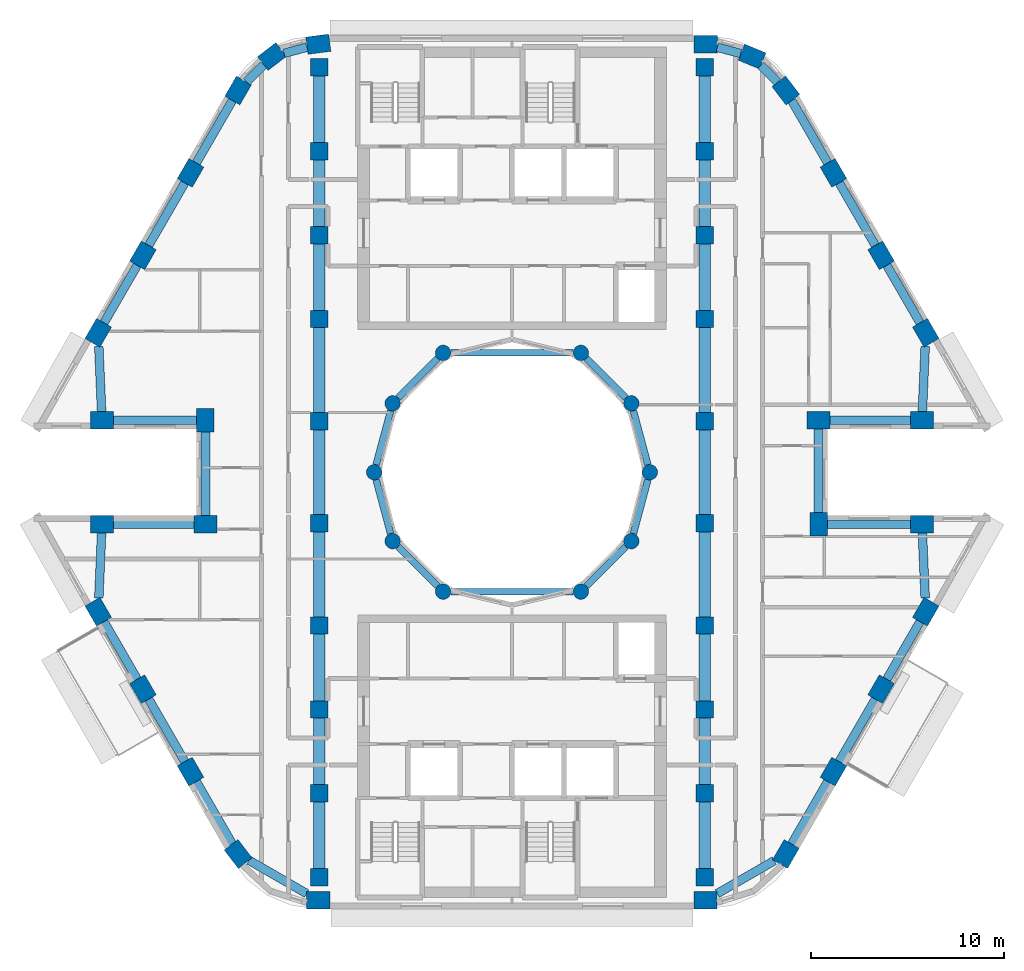
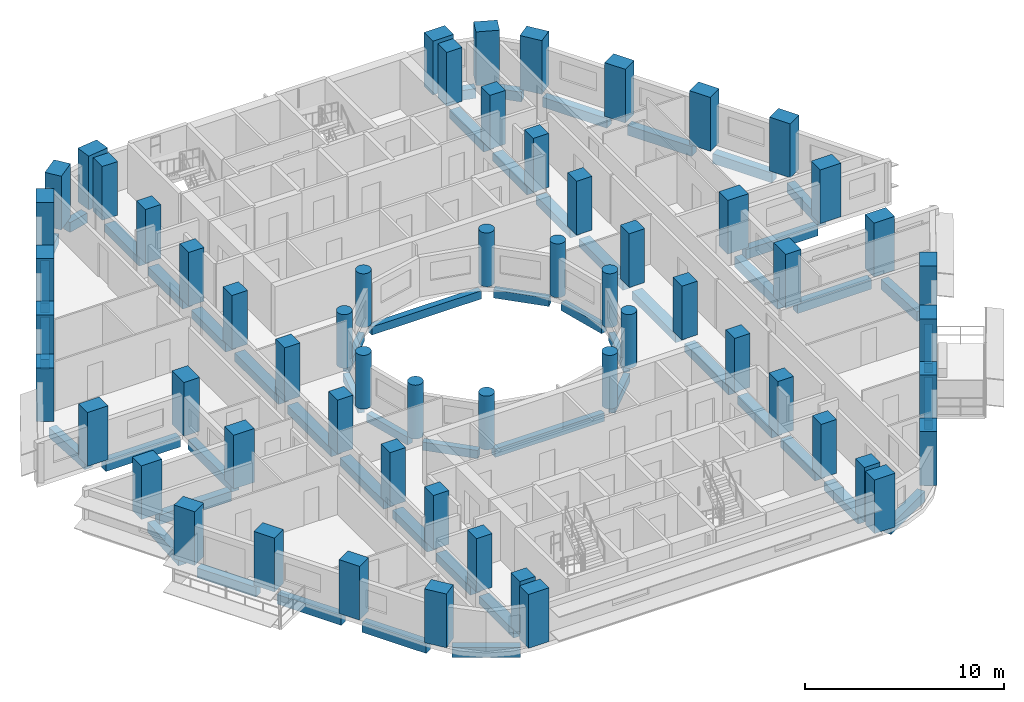
# One storey, part 1 of 16: 60 columns, 56 beams.
"""IFC4 building model written with IfcOpenShell, lengths in metres."""

from ifc_helpers import new_model, si_unit, direction, frame, origin, origin_2d, place, context, subcontext, project, spatial, rectangle, circle, extrude, material, material_profile, profile_set, type_object, element, save


model = new_model("IFC4")

# Units and contexts
model_context = context("Model", 3, precision=1e-05, world=origin(), true_north=direction((0.0, 1.0)))
body_context = subcontext(model_context, "Body", "Model", "MODEL_VIEW")
ifc_project = project(units=[si_unit("LENGTHUNIT", "METRE"), si_unit("AREAUNIT", "SQUARE_METRE"), si_unit("VOLUMEUNIT", "CUBIC_METRE"), si_unit("PLANEANGLEUNIT", "RADIAN"), si_unit("MASSUNIT", "GRAM", prefix="KILO")], contexts=[model_context])

# Site, building, storey
site_placement = place(None, origin())
site = spatial("IfcSite", under=ifc_project, at=site_placement, CompositionType="ELEMENT")
building_placement = place(site_placement, origin())
building = spatial("IfcBuilding", under=site, at=building_placement, Name="Nakaniwa Court", CompositionType="ELEMENT")
storey_placement = place(building_placement, frame((0.0, 0.0, 196.5)))
storey = spatial("IfcBuildingStorey", under=building, at=storey_placement, Name="L51", CompositionType="ELEMENT", Elevation=196.5)

# Columns
ifc_material = material(Name="Concrete C80/100", Category="concrete")
ifc_material_profile_1 = material_profile(ifc_material, rectangle(XDim=1.199951171875, YDim=0.89990234375, at=origin_2d()), Name="Concrete C80/100 RC 1200x900 perimeter column")
ifc_profile_set_1 = profile_set([ifc_material_profile_1], Name="Concrete C80/100")
column_type_1 = type_object("IfcColumnType", Name="Concrete C80/100 RC 1200x900 perimeter column", PredefinedType="COLUMN", material=ifc_profile_set_1)
for number, where, z_axis, x_axis, name in (
    (1, (69.95458984375, 102.199951171875, 0.0), (0.0, 0.0, 1.0), (-0.991442583111, -0.130543496177, 0.0), "COLUMN CO-01"),
    (2, (67.552001953125, 101.560302734375, 0.0), (0.0, 0.0, 1.0), (-0.793363965062, -0.608747582288, 0.0), "COLUMN CO-02"),
    (3, (65.796875, 99.799560546875, 0.0), (0.0, 0.0, 1.0), (-0.5, -0.866025403784, 0.0), "COLUMN CO-03"),
    (4, (63.328857421875, 95.524658203125, 0.0), (0.0, 0.0, 1.0), (-0.5, -0.866025403784, 0.0), "COLUMN CO-04"),
    (5, (60.860595703125, 91.249755859375, 0.0), (0.0, 0.0, 1.0), (-0.5, -0.866025403784, 0.0), "COLUMN CO-05"),
    (6, (58.541015625, 87.232177734375, 0.0), (0.0, 0.0, 1.0), (-0.5, -0.866025403784, 0.0), "COLUMN CO-06"),
    (7, (58.736083984375, 82.699951171875, 0.0), (0.0, 0.0, 1.0), (1.0, 0.0, 0.0), "COLUMN CO-08"),
    (8, (64.1005859375, 82.699951171875, 0.0), (0.0, 0.0, 1.0), (0.0, -1.0, 0.0), "COLUMN CO-09"),
    (9, (64.1005859375, 77.300048828125, 0.0), (0.0, 0.0, 1.0), (-1.0, 0.0, 0.0), "COLUMN CO-10"),
    (10, (58.736083984375, 77.300048828125, 0.0), (0.0, 0.0, 1.0), (-1.0, 0.0, 0.0), "COLUMN CO-11"),
    (11, (58.541015625, 72.767822265625, 0.0), (0.0, 0.0, 1.0), (0.5, -0.866025403784, 0.0), "COLUMN CO-13"),
    (12, (60.860595703125, 68.750244140625, 0.0), (0.0, 0.0, 1.0), (0.5, -0.866025403784, 0.0), "COLUMN CO-14"),
    (13, (63.328857421875, 64.475341796875, 0.0), (0.0, 0.0, 1.0), (0.5, -0.866025403784, 0.0), "COLUMN CO-15"),
    (14, (65.796875, 60.200439453125, 0.0), (0.0, 0.0, 1.0), (0.608761429009, -0.793353340291, 0.0), "COLUMN CO-16"),
    (15, (69.95458984375, 57.800048828125, 0.0), (0.0, 0.0, 1.0), (1.0, 0.0, 0.0), "COLUMN CO-17"),
    (16, (90.03955078125, 57.800048828125, 0.0), (0.0, 0.0, 1.0), (1.0, 0.0, 0.0), "COLUMN CO-21"),
    (17, (94.203125, 60.200439453125, 0.0), (0.0, 0.0, 1.0), (0.5, 0.866025403784, 0.0), "COLUMN CO-22"),
    (18, (96.671142578125, 64.475341796875, 0.0), (0.0, 0.0, 1.0), (0.5, 0.866025403784, 0.0), "COLUMN CO-23"),
    (19, (99.139404296875, 68.750244140625, 0.0), (0.0, 0.0, 1.0), (0.5, 0.866025403784, 0.0), "COLUMN CO-24"),
    (20, (101.458984375, 72.767822265625, 0.0), (0.0, 0.0, 1.0), (0.5, 0.866025403784, 0.0), "COLUMN CO-25"),
    (21, (101.263916015625, 77.300048828125, 0.0), (0.0, 0.0, 1.0), (-1.0, 0.0, 0.0), "COLUMN CO-27"),
    (22, (95.8994140625, 77.300048828125, 0.0), (0.0, 0.0, 1.0), (0.0, 1.0, 0.0), "COLUMN CO-28"),
    (23, (95.8994140625, 82.699951171875, 0.0), (0.0, 0.0, 1.0), (1.0, 0.0, 0.0), "COLUMN CO-29"),
    (24, (101.263916015625, 82.699951171875, 0.0), (0.0, 0.0, 1.0), (1.0, 0.0, 0.0), "COLUMN CO-30"),
    (25, (101.458984375, 87.232177734375, 0.0), (0.0, 0.0, 1.0), (-0.5, 0.866025403784, 0.0), "COLUMN CO-32"),
    (26, (99.139404296875, 91.249755859375, 0.0), (0.0, 0.0, 1.0), (-0.5, 0.866025403784, 0.0), "COLUMN CO-33"),
    (27, (96.671142578125, 95.524658203125, 0.0), (0.0, 0.0, 1.0), (-0.5, 0.866025403784, 0.0), "COLUMN CO-34"),
    (28, (94.203125, 99.799560546875, 0.0), (0.0, 0.0, 1.0), (-0.608761429009, 0.793353340291, 0.0), "COLUMN CO-35"),
    (29, (92.447998046875, 101.560302734375, 0.0), (0.0, 0.0, 1.0), (-0.923879532511, 0.382683432365, 0.0), "COLUMN CO-36"),
    (30, (90.04541015625, 102.199951171875, 0.0), (0.0, 0.0, 1.0), (-1.0, 0.0, 0.0), "COLUMN CO-37"),
):
    element("IfcColumn", number, at=place(storey_placement, frame(where, z_axis=z_axis, x_axis=x_axis)), inside=storey, type_object=column_type_1, Name=name, PredefinedType="COLUMN", context=body_context, shape_type="SweptSolid", body=[
        extrude(rectangle(XDim=1.199951171875, YDim=0.89990234375, at=origin_2d()), origin(), (0.0, 0.0, 1.0), 3.300048828125),
    ])
ifc_material_profile_2 = material_profile(ifc_material, rectangle(XDim=0.89990234375, YDim=0.89990234375, at=origin_2d()), Name="Concrete C80/100 RC 900x900 spine column")
ifc_profile_set_2 = profile_set([ifc_material_profile_2], Name="Concrete C80/100")
column_type_2 = type_object("IfcColumnType", Name="Concrete C80/100 RC 900x900 spine column", PredefinedType="COLUMN", material=ifc_profile_set_2)
for number, where, z_axis, x_axis, name in (
    (31, (90.0, 59.0, 0.0), (0.0, 0.0, 1.0), (0.0, 1.0, 0.0), "COLUMN CS-01"),
    (32, (90.0, 63.35009765625, 0.0), (0.0, 0.0, 1.0), (0.0, 1.0, 0.0), "COLUMN CS-02"),
    (33, (90.0, 67.699951171875, 0.0), (0.0, 0.0, 1.0), (0.0, 1.0, 0.0), "COLUMN CS-03"),
    (34, (90.0, 72.050048828125, 0.0), (0.0, 0.0, 1.0), (0.0, 1.0, 0.0), "COLUMN CS-04"),
    (35, (90.0, 77.35009765625, 0.0), (0.0, 0.0, 1.0), (0.0, 1.0, 0.0), "COLUMN CS-05"),
    (36, (90.0, 82.64990234375, 0.0), (0.0, 0.0, 1.0), (0.0, 1.0, 0.0), "COLUMN CS-06"),
    (37, (90.0, 87.949951171875, 0.0), (0.0, 0.0, 1.0), (0.0, 1.0, 0.0), "COLUMN CS-07"),
    (38, (90.0, 92.300048828125, 0.0), (0.0, 0.0, 1.0), (0.0, 1.0, 0.0), "COLUMN CS-08"),
    (39, (90.0, 96.64990234375, 0.0), (0.0, 0.0, 1.0), (0.0, 1.0, 0.0), "COLUMN CS-09"),
    (40, (90.0, 101.0, 0.0), (0.0, 0.0, 1.0), (0.0, 1.0, 0.0), "COLUMN CS-10"),
    (41, (70.0, 101.0, 0.0), (0.0, 0.0, 1.0), (0.0, -1.0, 0.0), "COLUMN CS-11"),
    (42, (70.0, 96.64990234375, 0.0), (0.0, 0.0, 1.0), (0.0, -1.0, 0.0), "COLUMN CS-12"),
    (43, (70.0, 92.300048828125, 0.0), (0.0, 0.0, 1.0), (0.0, -1.0, 0.0), "COLUMN CS-13"),
    (44, (70.0, 87.949951171875, 0.0), (0.0, 0.0, 1.0), (0.0, -1.0, 0.0), "COLUMN CS-14"),
    (45, (70.0, 82.64990234375, 0.0), (0.0, 0.0, 1.0), (0.0, -1.0, 0.0), "COLUMN CS-15"),
    (46, (70.0, 77.35009765625, 0.0), (0.0, 0.0, 1.0), (0.0, -1.0, 0.0), "COLUMN CS-16"),
    (47, (70.0, 72.050048828125, 0.0), (0.0, 0.0, 1.0), (0.0, -1.0, 0.0), "COLUMN CS-17"),
    (48, (70.0, 67.699951171875, 0.0), (0.0, 0.0, 1.0), (0.0, -1.0, 0.0), "COLUMN CS-18"),
    (49, (70.0, 63.35009765625, 0.0), (0.0, 0.0, 1.0), (0.0, -1.0, 0.0), "COLUMN CS-19"),
    (50, (70.0, 59.0, 0.0), (0.0, 0.0, 1.0), (0.0, -1.0, 0.0), "COLUMN CS-20"),
):
    element("IfcColumn", number, at=place(storey_placement, frame(where, z_axis=z_axis, x_axis=x_axis)), inside=storey, type_object=column_type_2, Name=name, PredefinedType="COLUMN", context=body_context, shape_type="SweptSolid", body=[
        extrude(rectangle(XDim=0.89990234375, YDim=0.89990234375, at=origin_2d()), origin(), (0.0, 0.0, 1.0), 3.300048828125),
    ])
ifc_material_profile_3 = material_profile(ifc_material, circle(Radius=0.39990234375, at=origin_2d()), Name="Concrete C80/100 RC D800 inner ring column")
ifc_profile_set_3 = profile_set([ifc_material_profile_3], Name="Concrete C80/100")
column_type_3 = type_object("IfcColumnType", Name="Concrete C80/100 RC D800 inner ring column", PredefinedType="COLUMN", material=ifc_profile_set_3)
for number, where, z_axis, x_axis, name in (
    (51, (87.14990234375, 80.0, 0.0), (0.0, 0.0, 1.0), (0.0, 1.0, 0.0), "COLUMN CI-01"),
    (52, (86.192138671875, 83.574951171875, 0.0), (0.0, 0.0, 1.0), (-0.5, 0.866025403784, 0.0), "COLUMN CI-02"),
    (53, (83.574951171875, 86.192138671875, 0.0), (0.0, 0.0, 1.0), (-0.866025403784, 0.5, 0.0), "COLUMN CI-03"),
    (54, (76.425048828125, 86.192138671875, 0.0), (0.0, 0.0, 1.0), (-0.866025403784, -0.5, 0.0), "COLUMN CI-05"),
    (55, (73.807861328125, 83.574951171875, 0.0), (0.0, 0.0, 1.0), (-0.5, -0.866025403784, 0.0), "COLUMN CI-06"),
    (56, (72.85009765625, 80.0, 0.0), (0.0, 0.0, 1.0), (0.0, -1.0, 0.0), "COLUMN CI-07"),
    (57, (73.807861328125, 76.425048828125, 0.0), (0.0, 0.0, 1.0), (0.5, -0.866025403784, 0.0), "COLUMN CI-08"),
    (58, (76.425048828125, 73.807861328125, 0.0), (0.0, 0.0, 1.0), (0.866025403784, -0.5, 0.0), "COLUMN CI-09"),
    (59, (83.574951171875, 73.807861328125, 0.0), (0.0, 0.0, 1.0), (0.866025403784, 0.5, 0.0), "COLUMN CI-11"),
    (60, (86.192138671875, 76.425048828125, 0.0), (0.0, 0.0, 1.0), (0.5, 0.866025403784, 0.0), "COLUMN CI-12"),
):
    element("IfcColumn", number, at=place(storey_placement, frame(where, z_axis=z_axis, x_axis=x_axis)), inside=storey, type_object=column_type_3, Name=name, PredefinedType="COLUMN", context=body_context, shape_type="SweptSolid", body=[
        extrude(circle(Radius=0.39990234375, at=origin_2d()), origin(), (0.0, 0.0, 1.0), 3.300048828125),
    ])

# Beams
ifc_material_profile_4 = material_profile(ifc_material, rectangle(XDim=0.35009765625, YDim=0.5, at=origin_2d()), Name="Concrete C80/100 RC 350x500 ring beam")
ifc_profile_set_4 = profile_set([ifc_material_profile_4], Name="Concrete C80/100")
beam_type_1 = type_object("IfcBeamType", Name="Concrete C80/100 RC 350x500 ring beam", PredefinedType="BEAM", material=ifc_profile_set_4)
beam_1_placement = place(storey_placement, frame((87.04638671875, 80.386474609375, -0.52490234375), z_axis=(-0.258778150207, 0.965936783115, 0.0), x_axis=(-0.965936783115, -0.258778150207, 0.0)))
element("IfcBeam", 61, at=beam_1_placement, inside=storey, type_object=beam_type_1, Name="RING BEAM", PredefinedType="BEAM", context=body_context, shape_type="SweptSolid", body=[
    extrude(rectangle(XDim=0.35009765625, YDim=0.5, at=origin_2d()), origin(), (0.0, 0.0, 1.0), 2.901123046875),
])
beam_2_placement = place(storey_placement, frame((85.9091796875, 83.85791015625, -0.52490234375), z_axis=(-0.707106781187, 0.707106781187, 0.0), x_axis=(-0.707106781187, -0.707106781187, 0.0)))
element("IfcBeam", 62, at=beam_2_placement, inside=storey, type_object=beam_type_1, Name="RING BEAM", PredefinedType="BEAM", context=body_context, shape_type="SweptSolid", body=[
    extrude(rectangle(XDim=0.35009765625, YDim=0.5, at=origin_2d()), origin(), (0.0, 0.0, 1.0), 2.90087890625),
])
beam_3_placement = place(storey_placement, frame((83.175048828125, 86.192138671875, -0.52490234375), z_axis=(-1.0, 0.0, 0.0), x_axis=(0.0, -1.0, 0.0)))
element("IfcBeam", 63, at=beam_3_placement, inside=storey, type_object=beam_type_1, Name="RING BEAM", PredefinedType="BEAM", context=body_context, shape_type="SweptSolid", body=[
    extrude(rectangle(XDim=0.35009765625, YDim=0.5, at=origin_2d()), origin(), (0.0, 0.0, 1.0), 6.35009765625),
])
beam_4_placement = place(storey_placement, frame((76.14208984375, 85.9091796875, -0.52490234375), z_axis=(-0.707106781187, -0.707106781187, 0.0), x_axis=(0.707106781187, -0.707106781187, 0.0)))
element("IfcBeam", 64, at=beam_4_placement, inside=storey, type_object=beam_type_1, Name="RING BEAM", PredefinedType="BEAM", context=body_context, shape_type="SweptSolid", body=[
    extrude(rectangle(XDim=0.35009765625, YDim=0.5, at=origin_2d()), origin(), (0.0, 0.0, 1.0), 2.90087890625),
])
for number, where, z_axis, x_axis, name in (
    (65, (73.704345703125, 83.188720703125, -0.52490234375), (-0.258778150207, -0.965936783115, 0.0), (0.965936783115, -0.258778150207, 0.0), "RING BEAM"),
    (66, (72.95361328125, 79.613525390625, -0.52490234375), (0.258778150207, -0.965936783115, 0.0), (0.965936783115, 0.258778150207, 0.0), "RING BEAM"),
):
    element("IfcBeam", number, at=place(storey_placement, frame(where, z_axis=z_axis, x_axis=x_axis)), inside=storey, type_object=beam_type_1, Name=name, PredefinedType="BEAM", context=body_context, shape_type="SweptSolid", body=[
        extrude(rectangle(XDim=0.35009765625, YDim=0.5, at=origin_2d()), origin(), (0.0, 0.0, 1.0), 2.901123046875),
    ])
beam_5_placement = place(storey_placement, frame((74.0908203125, 76.14208984375, -0.52490234375), z_axis=(0.707106781187, -0.707106781187, 0.0), x_axis=(0.707106781187, 0.707106781187, 0.0)))
element("IfcBeam", 67, at=beam_5_placement, inside=storey, type_object=beam_type_1, Name="RING BEAM", PredefinedType="BEAM", context=body_context, shape_type="SweptSolid", body=[
    extrude(rectangle(XDim=0.35009765625, YDim=0.5, at=origin_2d()), origin(), (0.0, 0.0, 1.0), 2.90087890625),
])
beam_6_placement = place(storey_placement, frame((76.824951171875, 73.807861328125, -0.52490234375), z_axis=(1.0, 0.0, 0.0), x_axis=(0.0, 1.0, 0.0)))
element("IfcBeam", 68, at=beam_6_placement, inside=storey, type_object=beam_type_1, Name="RING BEAM", PredefinedType="BEAM", context=body_context, shape_type="SweptSolid", body=[
    extrude(rectangle(XDim=0.35009765625, YDim=0.5, at=origin_2d()), origin(), (0.0, 0.0, 1.0), 6.35009765625),
])
beam_7_placement = place(storey_placement, frame((83.85791015625, 74.0908203125, -0.52490234375), z_axis=(0.707106781187, 0.707106781187, 0.0), x_axis=(-0.707106781187, 0.707106781187, 0.0)))
element("IfcBeam", 69, at=beam_7_placement, inside=storey, type_object=beam_type_1, Name="RING BEAM", PredefinedType="BEAM", context=body_context, shape_type="SweptSolid", body=[
    extrude(rectangle(XDim=0.35009765625, YDim=0.5, at=origin_2d()), origin(), (0.0, 0.0, 1.0), 2.90087890625),
])
beam_8_placement = place(storey_placement, frame((86.295654296875, 76.811279296875, -0.52490234375), z_axis=(0.258778150207, 0.965936783115, 0.0), x_axis=(-0.965936783115, 0.258778150207, 0.0)))
element("IfcBeam", 70, at=beam_8_placement, inside=storey, type_object=beam_type_1, Name="RING BEAM", PredefinedType="BEAM", context=body_context, shape_type="SweptSolid", body=[
    extrude(rectangle(XDim=0.35009765625, YDim=0.5, at=origin_2d()), origin(), (0.0, 0.0, 1.0), 2.901123046875),
])
ifc_material_profile_5 = material_profile(ifc_material, rectangle(XDim=0.449951171875, YDim=0.60009765625, at=origin_2d()), Name="Concrete C80/100 RC 450x600 spandrel beam")
ifc_profile_set_5 = profile_set([ifc_material_profile_5], Name="Concrete C80/100")
beam_type_2 = type_object("IfcBeamType", Name="Concrete C80/100 RC 450x600 spandrel beam", PredefinedType="BEAM", material=ifc_profile_set_5)
beam_9_placement = place(storey_placement, frame((69.3701171875, 102.044189453125, -0.574951171875), z_axis=(-0.966320442624, -0.257341800272, 0.0), x_axis=(0.257341800272, -0.966320442624, 0.0)))
element("IfcBeam", 71, at=beam_9_placement, inside=storey, type_object=beam_type_2, Name="SPANDREL BEAM", PredefinedType="BEAM", context=body_context, shape_type="SweptSolid", body=[
    extrude(rectangle(XDim=0.449951171875, YDim=0.60009765625, at=origin_2d()), origin(), (0.0, 0.0, 1.0), 1.2314453125),
])
beam_10_placement = place(storey_placement, frame((67.124755859375, 101.131591796875, -0.574951171875), z_axis=(-0.705943141011, -0.708268509578, 0.0), x_axis=(0.708268509578, -0.705943141011, 0.0)))
element("IfcBeam", 72, at=beam_10_placement, inside=storey, type_object=beam_type_2, Name="SPANDREL BEAM", PredefinedType="BEAM", context=body_context, shape_type="SweptSolid", body=[
    extrude(rectangle(XDim=0.449951171875, YDim=0.60009765625, at=origin_2d()), origin(), (0.0, 0.0, 1.0), 1.259765625),
])
for number, where, z_axis, x_axis, name in (
    (73, (65.496826171875, 99.27978515625, -0.574951171875), (-0.499969460568, -0.866043035016, 0.0), (0.866043035016, -0.499969460568, 0.0), "SPANDREL BEAM"),
    (74, (63.02880859375, 95.0048828125, -0.574951171875), (-0.500018470369, -0.866014739649, 0.0), (0.866014739649, -0.500018470369, 0.0), "SPANDREL BEAM"),
):
    element("IfcBeam", number, at=place(storey_placement, frame(where, z_axis=z_axis, x_axis=x_axis)), inside=storey, type_object=beam_type_2, Name=name, PredefinedType="BEAM", context=body_context, shape_type="SweptSolid", body=[
        extrude(rectangle(XDim=0.449951171875, YDim=0.60009765625, at=origin_2d()), origin(), (0.0, 0.0, 1.0), 3.736083984375),
    ])
beam_11_placement = place(storey_placement, frame((60.560791015625, 90.72998046875, -0.574951171875), z_axis=(-0.500048133448, -0.865997612142, 0.0), x_axis=(0.865997612142, -0.500048133448, 0.0)))
element("IfcBeam", 75, at=beam_11_placement, inside=storey, type_object=beam_type_2, Name="SPANDREL BEAM", PredefinedType="BEAM", context=body_context, shape_type="SweptSolid", body=[
    extrude(rectangle(XDim=0.449951171875, YDim=0.60009765625, at=origin_2d()), origin(), (0.0, 0.0, 1.0), 3.439208984375),
])
beam_12_placement = place(storey_placement, frame((58.57177734375, 86.521728515625, -0.574951171875), z_axis=(0.042897265713, -0.999079488627, 0.0), x_axis=(0.999079488627, 0.042897265713, 0.0)))
element("IfcBeam", 76, at=beam_12_placement, inside=storey, type_object=beam_type_2, Name="SPANDREL BEAM", PredefinedType="BEAM", context=body_context, shape_type="SweptSolid", body=[
    extrude(rectangle(XDim=0.449951171875, YDim=0.60009765625, at=origin_2d()), origin(), (0.0, 0.0, 1.0), 3.375),
])
beam_13_placement = place(storey_placement, frame((59.3359375, 82.699951171875, -0.574951171875), z_axis=(1.0, 0.0, 0.0), x_axis=(0.0, 1.0, 0.0)))
element("IfcBeam", 77, at=beam_13_placement, inside=storey, type_object=beam_type_2, Name="SPANDREL BEAM", PredefinedType="BEAM", context=body_context, shape_type="SweptSolid", body=[
    extrude(rectangle(XDim=0.449951171875, YDim=0.60009765625, at=origin_2d()), origin(), (0.0, 0.0, 1.0), 4.314453125),
])
beam_14_placement = place(storey_placement, frame((64.1005859375, 82.10009765625, -0.574951171875), z_axis=(0.0, -1.0, 0.0), x_axis=(1.0, 0.0, 0.0)))
element("IfcBeam", 78, at=beam_14_placement, inside=storey, type_object=beam_type_2, Name="SPANDREL BEAM", PredefinedType="BEAM", context=body_context, shape_type="SweptSolid", body=[
    extrude(rectangle(XDim=0.449951171875, YDim=0.60009765625, at=origin_2d()), origin(), (0.0, 0.0, 1.0), 4.35009765625),
])
beam_15_placement = place(storey_placement, frame((63.50048828125, 77.300048828125, -0.574951171875), z_axis=(-1.0, 0.0, 0.0), x_axis=(0.0, -1.0, 0.0)))
element("IfcBeam", 79, at=beam_15_placement, inside=storey, type_object=beam_type_2, Name="SPANDREL BEAM", PredefinedType="BEAM", context=body_context, shape_type="SweptSolid", body=[
    extrude(rectangle(XDim=0.449951171875, YDim=0.60009765625, at=origin_2d()), origin(), (0.0, 0.0, 1.0), 4.16455078125),
])
beam_16_placement = place(storey_placement, frame((58.716552734375, 76.85009765625, -0.574951171875), z_axis=(-0.042897265713, -0.999079488627, 0.0), x_axis=(0.999079488627, -0.042897265713, 0.0)))
element("IfcBeam", 80, at=beam_16_placement, inside=storey, type_object=beam_type_2, Name="SPANDREL BEAM", PredefinedType="BEAM", context=body_context, shape_type="SweptSolid", body=[
    extrude(rectangle(XDim=0.449951171875, YDim=0.60009765625, at=origin_2d()), origin(), (0.0, 0.0, 1.0), 3.375),
])
beam_17_placement = place(storey_placement, frame((58.841064453125, 72.248291015625, -0.574951171875), z_axis=(0.500048133448, -0.865997612142, 0.0), x_axis=(0.865997612142, 0.500048133448, 0.0)))
element("IfcBeam", 81, at=beam_17_placement, inside=storey, type_object=beam_type_2, Name="SPANDREL BEAM", PredefinedType="BEAM", context=body_context, shape_type="SweptSolid", body=[
    extrude(rectangle(XDim=0.449951171875, YDim=0.60009765625, at=origin_2d()), origin(), (0.0, 0.0, 1.0), 3.439208984375),
])
beam_18_placement = place(storey_placement, frame((61.16064453125, 68.230712890625, -0.574951171875), z_axis=(0.500018470369, -0.866014739649, 0.0), x_axis=(0.866014739649, 0.500018470369, 0.0)))
element("IfcBeam", 82, at=beam_18_placement, inside=storey, type_object=beam_type_2, Name="SPANDREL BEAM", PredefinedType="BEAM", context=body_context, shape_type="SweptSolid", body=[
    extrude(rectangle(XDim=0.449951171875, YDim=0.60009765625, at=origin_2d()), origin(), (0.0, 0.0, 1.0), 3.736083984375),
])
beam_19_placement = place(storey_placement, frame((63.62890625, 63.955810546875, -0.574951171875), z_axis=(0.499988672538, -0.866031943599, 0.0), x_axis=(0.866031943599, 0.499988672538, 0.0)))
element("IfcBeam", 83, at=beam_19_placement, inside=storey, type_object=beam_type_2, Name="SPANDREL BEAM", PredefinedType="BEAM", context=body_context, shape_type="SweptSolid", body=[
    extrude(rectangle(XDim=0.449951171875, YDim=0.60009765625, at=origin_2d()), origin(), (0.0, 0.0, 1.0), 3.73095703125),
])
beam_20_placement = place(storey_placement, frame((66.359375, 59.875732421875, -0.574951171875), z_axis=(0.866041005548, -0.49997297598, 0.0), x_axis=(0.49997297598, 0.866041005548, 0.0)))
element("IfcBeam", 84, at=beam_20_placement, inside=storey, type_object=beam_type_2, Name="SPANDREL BEAM", PredefinedType="BEAM", context=body_context, shape_type="SweptSolid", body=[
    extrude(rectangle(XDim=0.449951171875, YDim=0.60009765625, at=origin_2d()), origin(), (0.0, 0.0, 1.0), 3.458740234375),
])
beam_21_placement = place(storey_placement, frame((90.639404296875, 58.14599609375, -0.574951171875), z_axis=(0.866361397704, 0.499417589367, 0.0), x_axis=(-0.499417589367, 0.866361397704, 0.0)))
element("IfcBeam", 85, at=beam_21_placement, inside=storey, type_object=beam_type_2, Name="SPANDREL BEAM", PredefinedType="BEAM", context=body_context, shape_type="SweptSolid", body=[
    extrude(rectangle(XDim=0.449951171875, YDim=0.60009765625, at=origin_2d()), origin(), (0.0, 0.0, 1.0), 3.42041015625),
])
for number, where, z_axis, x_axis, name in (
    (86, (94.503173828125, 60.72021484375, -0.574951171875), (0.499969460568, 0.866043035016, 0.0), (-0.866043035016, 0.499969460568, 0.0), "SPANDREL BEAM"),
    (87, (96.97119140625, 64.9951171875, -0.574951171875), (0.500018470369, 0.866014739649, 0.0), (-0.866014739649, 0.500018470369, 0.0), "SPANDREL BEAM"),
):
    element("IfcBeam", number, at=place(storey_placement, frame(where, z_axis=z_axis, x_axis=x_axis)), inside=storey, type_object=beam_type_2, Name=name, PredefinedType="BEAM", context=body_context, shape_type="SweptSolid", body=[
        extrude(rectangle(XDim=0.449951171875, YDim=0.60009765625, at=origin_2d()), origin(), (0.0, 0.0, 1.0), 3.736083984375),
    ])
beam_22_placement = place(storey_placement, frame((99.439208984375, 69.27001953125, -0.574951171875), z_axis=(0.500048133448, 0.865997612142, 0.0), x_axis=(-0.865997612142, 0.500048133448, 0.0)))
element("IfcBeam", 88, at=beam_22_placement, inside=storey, type_object=beam_type_2, Name="SPANDREL BEAM", PredefinedType="BEAM", context=body_context, shape_type="SweptSolid", body=[
    extrude(rectangle(XDim=0.449951171875, YDim=0.60009765625, at=origin_2d()), origin(), (0.0, 0.0, 1.0), 3.439208984375),
])
beam_23_placement = place(storey_placement, frame((101.42822265625, 73.478271484375, -0.574951171875), z_axis=(-0.042897265713, 0.999079488627, 0.0), x_axis=(-0.999079488627, -0.042897265713, 0.0)))
element("IfcBeam", 89, at=beam_23_placement, inside=storey, type_object=beam_type_2, Name="SPANDREL BEAM", PredefinedType="BEAM", context=body_context, shape_type="SweptSolid", body=[
    extrude(rectangle(XDim=0.449951171875, YDim=0.60009765625, at=origin_2d()), origin(), (0.0, 0.0, 1.0), 3.375),
])
beam_24_placement = place(storey_placement, frame((100.6640625, 77.300048828125, -0.574951171875), z_axis=(-1.0, 0.0, 0.0), x_axis=(0.0, -1.0, 0.0)))
element("IfcBeam", 90, at=beam_24_placement, inside=storey, type_object=beam_type_2, Name="SPANDREL BEAM", PredefinedType="BEAM", context=body_context, shape_type="SweptSolid", body=[
    extrude(rectangle(XDim=0.449951171875, YDim=0.60009765625, at=origin_2d()), origin(), (0.0, 0.0, 1.0), 4.314453125),
])
beam_25_placement = place(storey_placement, frame((95.8994140625, 77.89990234375, -0.574951171875), z_axis=(0.0, 1.0, 0.0), x_axis=(-1.0, 0.0, 0.0)))
element("IfcBeam", 91, at=beam_25_placement, inside=storey, type_object=beam_type_2, Name="SPANDREL BEAM", PredefinedType="BEAM", context=body_context, shape_type="SweptSolid", body=[
    extrude(rectangle(XDim=0.449951171875, YDim=0.60009765625, at=origin_2d()), origin(), (0.0, 0.0, 1.0), 4.35009765625),
])
beam_26_placement = place(storey_placement, frame((96.49951171875, 82.699951171875, -0.574951171875), z_axis=(1.0, 0.0, 0.0), x_axis=(0.0, 1.0, 0.0)))
element("IfcBeam", 92, at=beam_26_placement, inside=storey, type_object=beam_type_2, Name="SPANDREL BEAM", PredefinedType="BEAM", context=body_context, shape_type="SweptSolid", body=[
    extrude(rectangle(XDim=0.449951171875, YDim=0.60009765625, at=origin_2d()), origin(), (0.0, 0.0, 1.0), 4.16455078125),
])
beam_27_placement = place(storey_placement, frame((101.283447265625, 83.14990234375, -0.574951171875), z_axis=(0.042897265713, 0.999079488627, 0.0), x_axis=(-0.999079488627, 0.042897265713, 0.0)))
element("IfcBeam", 93, at=beam_27_placement, inside=storey, type_object=beam_type_2, Name="SPANDREL BEAM", PredefinedType="BEAM", context=body_context, shape_type="SweptSolid", body=[
    extrude(rectangle(XDim=0.449951171875, YDim=0.60009765625, at=origin_2d()), origin(), (0.0, 0.0, 1.0), 3.375),
])
beam_28_placement = place(storey_placement, frame((101.158935546875, 87.751708984375, -0.574951171875), z_axis=(-0.500048133448, 0.865997612142, 0.0), x_axis=(-0.865997612142, -0.500048133448, 0.0)))
element("IfcBeam", 94, at=beam_28_placement, inside=storey, type_object=beam_type_2, Name="SPANDREL BEAM", PredefinedType="BEAM", context=body_context, shape_type="SweptSolid", body=[
    extrude(rectangle(XDim=0.449951171875, YDim=0.60009765625, at=origin_2d()), origin(), (0.0, 0.0, 1.0), 3.439208984375),
])
beam_29_placement = place(storey_placement, frame((98.83935546875, 91.769287109375, -0.574951171875), z_axis=(-0.500018470369, 0.866014739649, 0.0), x_axis=(-0.866014739649, -0.500018470369, 0.0)))
element("IfcBeam", 95, at=beam_29_placement, inside=storey, type_object=beam_type_2, Name="SPANDREL BEAM", PredefinedType="BEAM", context=body_context, shape_type="SweptSolid", body=[
    extrude(rectangle(XDim=0.449951171875, YDim=0.60009765625, at=origin_2d()), origin(), (0.0, 0.0, 1.0), 3.736083984375),
])
beam_30_placement = place(storey_placement, frame((96.37109375, 96.044189453125, -0.574951171875), z_axis=(-0.499988672538, 0.866031943599, 0.0), x_axis=(-0.866031943599, -0.499988672538, 0.0)))
element("IfcBeam", 96, at=beam_30_placement, inside=storey, type_object=beam_type_2, Name="SPANDREL BEAM", PredefinedType="BEAM", context=body_context, shape_type="SweptSolid", body=[
    extrude(rectangle(XDim=0.449951171875, YDim=0.60009765625, at=origin_2d()), origin(), (0.0, 0.0, 1.0), 3.73095703125),
])
beam_31_placement = place(storey_placement, frame((93.77587890625, 100.22802734375, -0.574951171875), z_axis=(-0.705916034154, 0.708295526404, 0.0), x_axis=(-0.708295526404, -0.705916034154, 0.0)))
element("IfcBeam", 97, at=beam_31_placement, inside=storey, type_object=beam_type_2, Name="SPANDREL BEAM", PredefinedType="BEAM", context=body_context, shape_type="SweptSolid", body=[
    extrude(rectangle(XDim=0.449951171875, YDim=0.60009765625, at=origin_2d()), origin(), (0.0, 0.0, 1.0), 1.231201171875),
])
beam_32_placement = place(storey_placement, frame((91.863037109375, 101.716064453125, -0.574951171875), z_axis=(-0.966337757832, 0.257276772735, 0.0), x_axis=(-0.257276772735, -0.966337757832, 0.0)))
element("IfcBeam", 98, at=beam_32_placement, inside=storey, type_object=beam_type_2, Name="SPANDREL BEAM", PredefinedType="BEAM", context=body_context, shape_type="SweptSolid", body=[
    extrude(rectangle(XDim=0.449951171875, YDim=0.60009765625, at=origin_2d()), origin(), (0.0, 0.0, 1.0), 1.26025390625),
])
ifc_material_profile_6 = material_profile(ifc_material, rectangle(XDim=0.60009765625, YDim=0.5, at=origin_2d()), Name="Concrete C80/100 RC 600x500 ring beam")
ifc_profile_set_6 = profile_set([ifc_material_profile_6], Name="Concrete C80/100")
beam_type_3 = type_object("IfcBeamType", Name="Concrete C80/100 RC 600x500 ring beam", PredefinedType="BEAM", material=ifc_profile_set_6)
for number, where, z_axis, x_axis, name in (
    (99, (90.0, 59.449951171875, -0.52490234375), (0.0, 1.0, 0.0), (-1.0, 0.0, 0.0), "RING BEAM"),
    (100, (90.0, 63.800048828125, -0.52490234375), (0.0, 1.0, 0.0), (-1.0, 0.0, 0.0), "RING BEAM"),
):
    element("IfcBeam", number, at=place(storey_placement, frame(where, z_axis=z_axis, x_axis=x_axis)), inside=storey, type_object=beam_type_3, Name=name, PredefinedType="BEAM", context=body_context, shape_type="SweptSolid", body=[
        extrude(rectangle(XDim=0.60009765625, YDim=0.5, at=origin_2d()), origin(), (0.0, 0.0, 1.0), 3.449951171875),
    ])
beam_33_placement = place(storey_placement, frame((90.0, 68.14990234375, -0.52490234375), z_axis=(0.0, 1.0, 0.0), x_axis=(-1.0, 0.0, 0.0)))
element("IfcBeam", 101, at=beam_33_placement, inside=storey, type_object=beam_type_3, Name="RING BEAM", PredefinedType="BEAM", context=body_context, shape_type="SweptSolid", body=[
    extrude(rectangle(XDim=0.60009765625, YDim=0.5, at=origin_2d()), origin(), (0.0, 0.0, 1.0), 3.4501953125),
])
for number, where, z_axis, x_axis, name in (
    (102, (90.0, 72.5, -0.52490234375), (0.0, 1.0, 0.0), (-1.0, 0.0, 0.0), "RING BEAM"),
    (103, (90.0, 77.800048828125, -0.52490234375), (0.0, 1.0, 0.0), (-1.0, 0.0, 0.0), "RING BEAM"),
    (104, (90.0, 83.10009765625, -0.52490234375), (0.0, 1.0, 0.0), (-1.0, 0.0, 0.0), "RING BEAM"),
):
    element("IfcBeam", number, at=place(storey_placement, frame(where, z_axis=z_axis, x_axis=x_axis)), inside=storey, type_object=beam_type_3, Name=name, PredefinedType="BEAM", context=body_context, shape_type="SweptSolid", body=[
        extrude(rectangle(XDim=0.60009765625, YDim=0.5, at=origin_2d()), origin(), (0.0, 0.0, 1.0), 4.39990234375),
    ])
beam_34_placement = place(storey_placement, frame((90.0, 88.39990234375, -0.52490234375), z_axis=(0.0, 1.0, 0.0), x_axis=(-1.0, 0.0, 0.0)))
element("IfcBeam", 105, at=beam_34_placement, inside=storey, type_object=beam_type_3, Name="RING BEAM", PredefinedType="BEAM", context=body_context, shape_type="SweptSolid", body=[
    extrude(rectangle(XDim=0.60009765625, YDim=0.5, at=origin_2d()), origin(), (0.0, 0.0, 1.0), 3.4501953125),
])
for number, where, z_axis, x_axis, name in (
    (106, (90.0, 92.75, -0.52490234375), (0.0, 1.0, 0.0), (-1.0, 0.0, 0.0), "RING BEAM"),
    (107, (90.0, 97.10009765625, -0.52490234375), (0.0, 1.0, 0.0), (-1.0, 0.0, 0.0), "RING BEAM"),
    (108, (70.0, 100.550048828125, -0.52490234375), (0.0, -1.0, 0.0), (1.0, 0.0, 0.0), "RING BEAM"),
    (109, (70.0, 96.199951171875, -0.52490234375), (0.0, -1.0, 0.0), (1.0, 0.0, 0.0), "RING BEAM"),
):
    element("IfcBeam", number, at=place(storey_placement, frame(where, z_axis=z_axis, x_axis=x_axis)), inside=storey, type_object=beam_type_3, Name=name, PredefinedType="BEAM", context=body_context, shape_type="SweptSolid", body=[
        extrude(rectangle(XDim=0.60009765625, YDim=0.5, at=origin_2d()), origin(), (0.0, 0.0, 1.0), 3.449951171875),
    ])
beam_35_placement = place(storey_placement, frame((70.0, 91.85009765625, -0.52490234375), z_axis=(0.0, -1.0, 0.0), x_axis=(1.0, 0.0, 0.0)))
element("IfcBeam", 110, at=beam_35_placement, inside=storey, type_object=beam_type_3, Name="RING BEAM", PredefinedType="BEAM", context=body_context, shape_type="SweptSolid", body=[
    extrude(rectangle(XDim=0.60009765625, YDim=0.5, at=origin_2d()), origin(), (0.0, 0.0, 1.0), 3.4501953125),
])
for number, where, z_axis, x_axis, name in (
    (111, (70.0, 87.5, -0.52490234375), (0.0, -1.0, 0.0), (1.0, 0.0, 0.0), "RING BEAM"),
    (112, (70.0, 82.199951171875, -0.52490234375), (0.0, -1.0, 0.0), (1.0, 0.0, 0.0), "RING BEAM"),
    (113, (70.0, 76.89990234375, -0.52490234375), (0.0, -1.0, 0.0), (1.0, 0.0, 0.0), "RING BEAM"),
):
    element("IfcBeam", number, at=place(storey_placement, frame(where, z_axis=z_axis, x_axis=x_axis)), inside=storey, type_object=beam_type_3, Name=name, PredefinedType="BEAM", context=body_context, shape_type="SweptSolid", body=[
        extrude(rectangle(XDim=0.60009765625, YDim=0.5, at=origin_2d()), origin(), (0.0, 0.0, 1.0), 4.39990234375),
    ])
beam_36_placement = place(storey_placement, frame((70.0, 71.60009765625, -0.52490234375), z_axis=(0.0, -1.0, 0.0), x_axis=(1.0, 0.0, 0.0)))
element("IfcBeam", 114, at=beam_36_placement, inside=storey, type_object=beam_type_3, Name="RING BEAM", PredefinedType="BEAM", context=body_context, shape_type="SweptSolid", body=[
    extrude(rectangle(XDim=0.60009765625, YDim=0.5, at=origin_2d()), origin(), (0.0, 0.0, 1.0), 3.4501953125),
])
for number, where, z_axis, x_axis, name in (
    (115, (70.0, 67.25, -0.52490234375), (0.0, -1.0, 0.0), (1.0, 0.0, 0.0), "RING BEAM"),
    (116, (70.0, 62.89990234375, -0.52490234375), (0.0, -1.0, 0.0), (1.0, 0.0, 0.0), "RING BEAM"),
):
    element("IfcBeam", number, at=place(storey_placement, frame(where, z_axis=z_axis, x_axis=x_axis)), inside=storey, type_object=beam_type_3, Name=name, PredefinedType="BEAM", context=body_context, shape_type="SweptSolid", body=[
        extrude(rectangle(XDim=0.60009765625, YDim=0.5, at=origin_2d()), origin(), (0.0, 0.0, 1.0), 3.449951171875),
    ])

save(model, "model.ifc")
